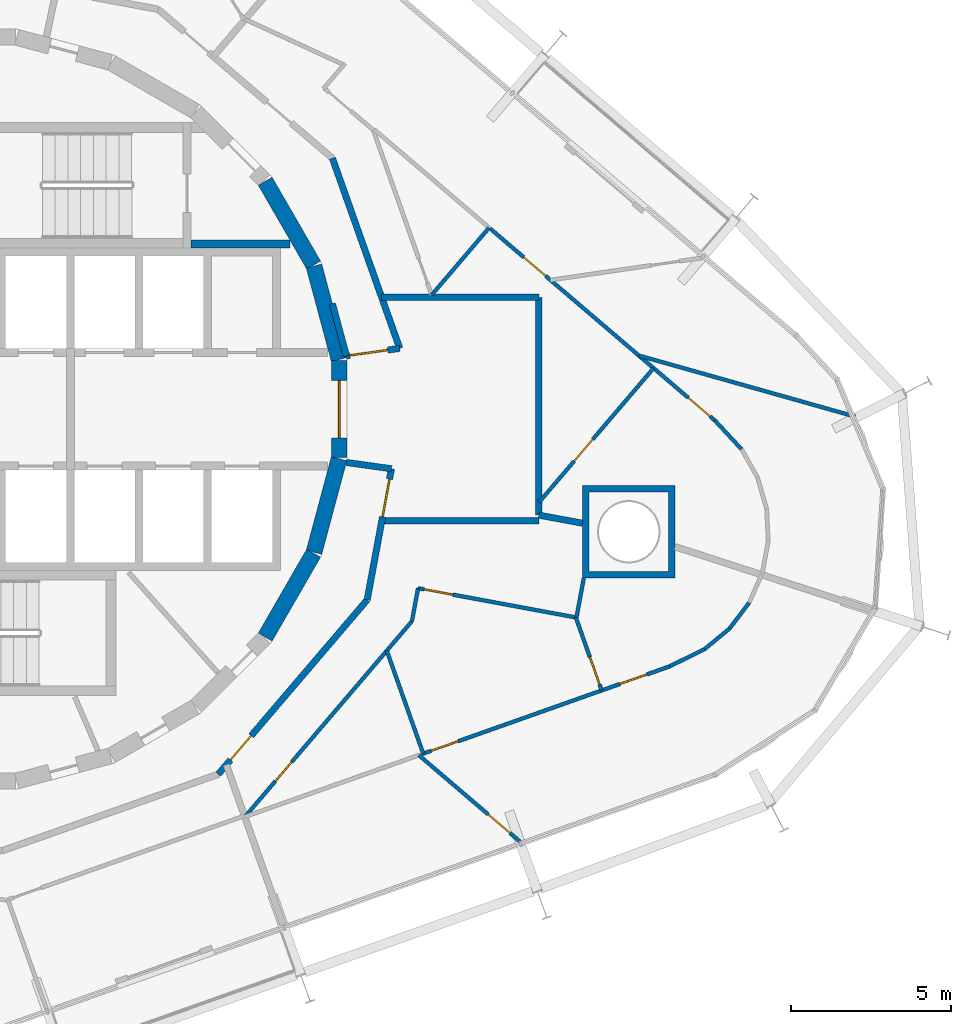
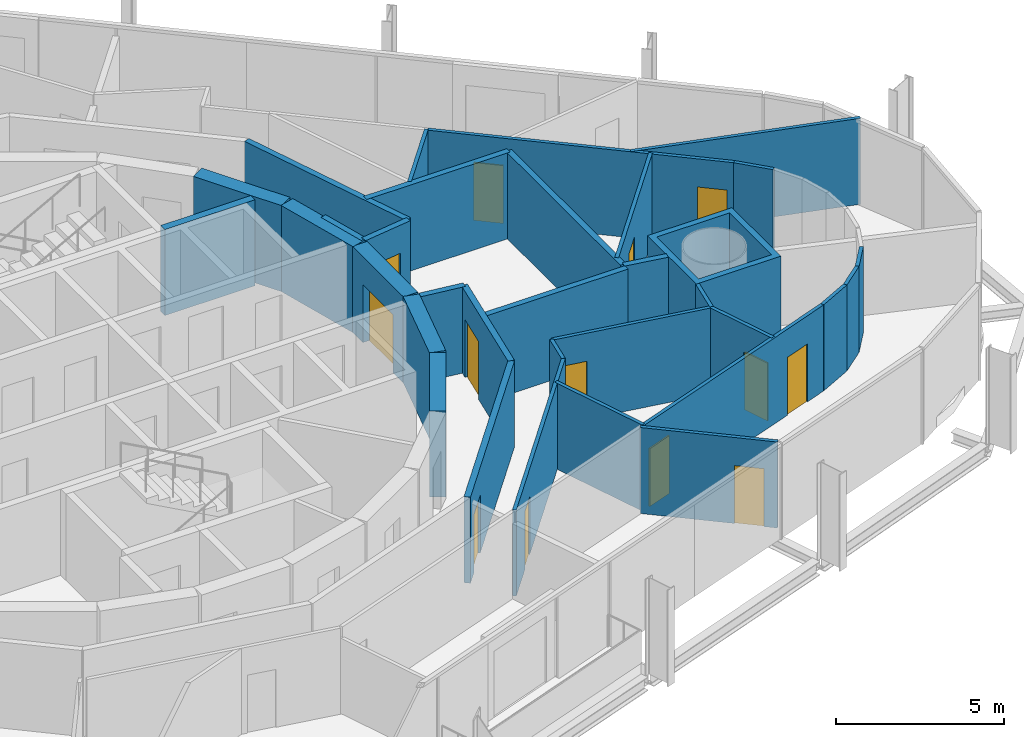
# One storey, part 13 of 17: 33 walls, 13 doors, 13 openings.
"""IFC4 building model written with IfcOpenShell, lengths in metres."""

from ifc_helpers import new_model, si_unit, direction, frame, frame_2d, origin, place, context, subcontext, project, spatial, polyline, rectangle, outline, extrude, material, layer, layer_set, type_object, element, fill, save


model = new_model("IFC4")

# Units and contexts
model_context = context("Model", 3, precision=1e-05, world=origin(), true_north=direction((0.0, 1.0)))
body_context = subcontext(model_context, "Body", "Model", "MODEL_VIEW")
ifc_project = project(units=[si_unit("LENGTHUNIT", "METRE"), si_unit("AREAUNIT", "SQUARE_METRE"), si_unit("VOLUMEUNIT", "CUBIC_METRE"), si_unit("PLANEANGLEUNIT", "RADIAN"), si_unit("MASSUNIT", "GRAM", prefix="KILO")], contexts=[model_context])

# Site, building, storey
site_placement = place(None, origin())
site = spatial("IfcSite", under=ifc_project, at=site_placement, CompositionType="ELEMENT")
building_placement = place(site_placement, origin())
building = spatial("IfcBuilding", under=site, at=building_placement, Name="Spindle Arch Residences", CompositionType="ELEMENT")
storey_placement = place(building_placement, frame((0.0, 0.0, 162.199951171875)))
storey = spatial("IfcBuildingStorey", under=building, at=storey_placement, Name="L40", CompositionType="ELEMENT", Elevation=162.199951171875)

# Walls
ifc_material_1 = material(Name="Concrete C50/60", Category="concrete")
ifc_layer_1 = layer(ifc_material_1, 0.5)
ifc_layer_set_1 = layer_set([ifc_layer_1], Name="Core outline wall 500")
wall_type_1 = type_object("IfcWallType", Name="Core outline wall 500", PredefinedType="SHEAR", material=ifc_layer_set_1)
for number, where, z_axis, x_axis, name in (
    (1, (9.32861328125, -7.13671875, 0.0), (0.0, 0.0, 1.0), (0.500087131594, 0.865975092491, 0.0), "Core outline wall 4"),
    (2, (10.858154296875, -4.479248046875, 0.0), (0.0, 0.0, 1.0), (0.258734743916, 0.965948410781, 0.0), "Core outline wall 5"),
):
    element("IfcWall", number, at=place(storey_placement, frame(where, z_axis=z_axis, x_axis=x_axis)), inside=storey, type_object=wall_type_1, Name=name, PredefinedType="SHEAR", context=body_context, shape_type="SweptSolid", body=[
        extrude(rectangle(XDim=3.03271484375, YDim=0.5, at=frame_2d((1.516357421875, 0.0))), origin(), (0.0, 0.0, 1.0), 3.1201171875),
    ])

# Wall, opening, door
wall_1_placement = place(storey_placement, frame((11.647216796875, -1.516357421875, 0.0), z_axis=(0.0, 0.0, 1.0), x_axis=(0.0, 1.0, 0.0)))
wall_1 = element("IfcWall", 3, at=wall_1_placement, inside=storey, type_object=wall_type_1, Name="Core outline wall 6", PredefinedType="SHEAR", context=body_context, shape_type="SweptSolid", body=[
    extrude(rectangle(XDim=3.03271484375, YDim=0.5, at=frame_2d((1.516357421875, 0.0))), origin(), (0.0, 0.0, 1.0), 3.1201171875),
])
opening_1_placement = place(wall_1_placement, frame((0.6162109375, 0.0, 0.0)))
opening_1 = element("IfcOpeningElement", 4, at=opening_1_placement, cuts=wall_1, Name="Opening R4B1-FE01", PredefinedType="OPENING", context=body_context, shape_type="SweptSolid", body=[
    extrude(rectangle(XDim=1.800048828125, YDim=2.10009765625, at=frame_2d((0.89990234375, 1.050048828125))), frame((0.0, 0.260009765625, 0.0), z_axis=(0.0, -1.0, 0.0), x_axis=(1.0, 0.0, 0.0)), (0.0, 0.0, 1.0), 0.52001953125),
])
ifc_material_2 = material(Name="Steel, fire-resisting door", Category="steel")
door_type_1 = type_object("IfcDoorType", Name="Fire-lift lobby door 1800x2100", OperationType="DOUBLE_DOOR_SINGLE_SWING", PredefinedType="DOOR", material=ifc_material_2)
door_1_placement = place(opening_1_placement, origin())
door_1 = element("IfcDoor", 5, at=door_1_placement, inside=storey, type_object=door_type_1, Name="Fire-lift lobby door R4B1-FE01", OperationType="DOUBLE_DOOR_SINGLE_SWING", OverallHeight=2.10009765625, OverallWidth=1.800048828125, PredefinedType="DOOR", context=body_context, shape_type="SweptSolid", body=[
    extrude(rectangle(XDim=1.800048828125, YDim=2.10009765625, at=frame_2d((0.89990234375, 1.050048828125))), frame((0.0, 0.02490234375, 0.0), z_axis=(0.0, -1.0, 0.0), x_axis=(1.0, 0.0, 0.0)), (0.0, 0.0, 1.0), 0.050048828125),
])
fill(opening_1, door_1)

# Walls
for number, where, z_axis, x_axis, name in (
    (6, (11.642822265625, 1.5498046875, 0.0), (0.0, 0.0, 1.0), (-0.258734743916, 0.965948410781, 0.0), "Core outline wall 7"),
    (7, (10.84521484375, 4.510498046875, 0.0), (0.0, 0.0, 1.0), (-0.500087131594, 0.865975092491, 0.0), "Core outline wall 8"),
):
    element("IfcWall", number, at=place(storey_placement, frame(where, z_axis=z_axis, x_axis=x_axis)), inside=storey, type_object=wall_type_1, Name=name, PredefinedType="SHEAR", context=body_context, shape_type="SweptSolid", body=[
        extrude(rectangle(XDim=3.03271484375, YDim=0.5, at=frame_2d((1.516357421875, 0.0))), origin(), (0.0, 0.0, 1.0), 3.1201171875),
    ])

# Wall, opening, door
ifc_material_3 = material(Name="Calcium silicate block, plastered")
ifc_layer_2 = layer(ifc_material_3, 0.199951171875)
ifc_layer_set_2 = layer_set([ifc_layer_2], Name="Corridor wall 200")
wall_type_2 = type_object("IfcWallType", Name="Corridor wall 200", PredefinedType="STANDARD", material=ifc_layer_set_2)
wall_2_placement = place(storey_placement, frame((7.857666015625, -11.432861328125, 0.0), z_axis=(0.0, 0.0, 1.0), x_axis=(0.649440801937, 0.760412154545, 0.0)))
wall_2 = element("IfcWall", 8, at=wall_2_placement, inside=storey, type_object=wall_type_2, Name="Corridor wall R4B1-W020", PredefinedType="STANDARD", context=body_context, shape_type="SweptSolid", body=[
    extrude(rectangle(XDim=7.180908203125, YDim=0.199951171875, at=frame_2d((3.59033203125, 0.0))), origin(), (0.0, 0.0, 1.0), 3.1201171875),
])
opening_2_placement = place(wall_2_placement, frame((0.592041015625, 0.0, 0.0)))
opening_2 = element("IfcOpeningElement", 9, at=opening_2_placement, cuts=wall_2, Name="Opening R4B1-FD06", PredefinedType="OPENING", context=body_context, shape_type="SweptSolid", body=[
    extrude(rectangle(XDim=1.0, YDim=2.10009765625, at=frame_2d((0.5, 1.050048828125))), frame((0.0, 0.10986328125, 0.0), z_axis=(0.0, -1.0, 0.0), x_axis=(1.0, 0.0, 0.0)), (0.0, 0.0, 1.0), 0.219970703125),
])
ifc_material_4 = material(Name="Timber, fire-resisting door set", Category="wood")
door_type_2 = type_object("IfcDoorType", Name="Flat entrance door 1000x2100", OperationType="NOTDEFINED", PredefinedType="DOOR", material=ifc_material_4)
door_2_placement = place(opening_2_placement, origin())
door_2 = element("IfcDoor", 10, at=door_2_placement, inside=storey, type_object=door_type_2, Name="Flat entrance door R4B1-FD06", OperationType="SINGLE_SWING_RIGHT", OverallHeight=2.10009765625, OverallWidth=1.0, PredefinedType="DOOR", context=body_context, shape_type="SweptSolid", body=[
    extrude(rectangle(XDim=1.0, YDim=2.10009765625, at=frame_2d((0.5, 1.050048828125))), frame((0.0, 0.02490234375, 0.0), z_axis=(0.0, -1.0, 0.0), x_axis=(1.0, 0.0, 0.0)), (0.0, 0.0, 1.0), 0.050048828125),
])
fill(opening_2, door_2)

# Wall
ifc_material_5 = material(Name="Calcium silicate block, plastered")
ifc_layer_3 = layer(ifc_material_5, 0.199951171875)
ifc_layer_set_3 = layer_set([ifc_layer_3], Name="Fire-lift lobby bay wall 200")
wall_type_3 = type_object("IfcWallType", Name="Fire-lift lobby bay wall 200", PredefinedType="STANDARD", material=ifc_layer_set_3)
wall_3_placement = place(storey_placement, frame((11.8701171875, 1.668212890625, 0.0), z_axis=(0.0, 0.0, 1.0), x_axis=(-0.258836880648, 0.965921047093, 0.0)))
element("IfcWall", 11, at=wall_3_placement, inside=storey, type_object=wall_type_3, Name="Fire-lift lobby bay wall R4B1-W001", PredefinedType="STANDARD", context=body_context, shape_type="SweptSolid", body=[
    extrude(rectangle(XDim=1.695068359375, YDim=0.199951171875, at=frame_2d((0.84765625, 0.0))), origin(), (0.0, 0.0, 1.0), 3.1201171875),
])

# Wall, opening, door
wall_4_placement = place(storey_placement, frame((11.8701171875, 1.668212890625, 0.0), z_axis=(0.0, 0.0, 1.0), x_axis=(0.990270910415, 0.139152879904, 0.0)))
wall_4 = element("IfcWall", 12, at=wall_4_placement, inside=storey, type_object=wall_type_3, Name="Fire-lift lobby bay wall R4B1-W002", PredefinedType="STANDARD", context=body_context, shape_type="SweptSolid", body=[
    extrude(rectangle(XDim=1.687744140625, YDim=0.199951171875, at=frame_2d((0.84375, 0.0))), origin(), (0.0, 0.0, 1.0), 3.1201171875),
])
opening_3_placement = place(wall_4_placement, frame((0.110107421875, 0.0, 0.0)))
opening_3 = element("IfcOpeningElement", 13, at=opening_3_placement, cuts=wall_4, Name="Opening R4B1-CD01", PredefinedType="OPENING", context=body_context, shape_type="SweptSolid", body=[
    extrude(rectangle(XDim=1.199951171875, YDim=2.10009765625, at=frame_2d((0.60009765625, 1.050048828125))), frame((0.0, 0.10986328125, 0.0), z_axis=(0.0, -1.0, 0.0), x_axis=(1.0, 0.0, 0.0)), (0.0, 0.0, 1.0), 0.219970703125),
])
ifc_material_6 = material(Name="Steel, fire-resisting door", Category="steel")
door_type_3 = type_object("IfcDoorType", Name="Corridor division door 1200x2100", OperationType="NOTDEFINED", PredefinedType="DOOR", material=ifc_material_6)
door_3_placement = place(opening_3_placement, origin())
door_3 = element("IfcDoor", 14, at=door_3_placement, inside=storey, type_object=door_type_3, Name="Corridor division door R4B1-CD01", OperationType="DOUBLE_DOOR_SINGLE_SWING", OverallHeight=2.10009765625, OverallWidth=1.199951171875, PredefinedType="DOOR", context=body_context, shape_type="SweptSolid", body=[
    extrude(rectangle(XDim=1.199951171875, YDim=2.10009765625, at=frame_2d((0.60009765625, 1.050048828125))), frame((0.0, 0.02490234375, 0.0), z_axis=(0.0, -1.0, 0.0), x_axis=(1.0, 0.0, 0.0)), (0.0, 0.0, 1.0), 0.050048828125),
])
fill(opening_3, door_3)

# Wall
wall_5_placement = place(storey_placement, frame((13.54150390625, 1.903076171875, 0.0), z_axis=(0.0, 0.0, 1.0), x_axis=(-0.333808508206, 0.942640907159, 0.0)))
element("IfcWall", 15, at=wall_5_placement, inside=storey, type_object=wall_type_3, Name="Fire-lift lobby bay wall R4B1-W003", PredefinedType="STANDARD", context=body_context, shape_type="SweptSolid", body=[
    extrude(rectangle(XDim=6.31689453125, YDim=0.199951171875, at=frame_2d((3.158447265625, 0.0))), origin(), (0.0, 0.0, 1.0), 3.1201171875),
])

# Wall, opening, door
wall_6_placement = place(storey_placement, frame((12.521240234375, -5.972412109375, 0.0), z_axis=(0.0, 0.0, 1.0), x_axis=(0.182244189886, 0.983253301674, 0.0)))
wall_6 = element("IfcWall", 16, at=wall_6_placement, inside=storey, type_object=wall_type_3, Name="Fire-lift lobby bay wall R4B1-W012", PredefinedType="STANDARD", context=body_context, shape_type="SweptSolid", body=[
    extrude(rectangle(XDim=4.175537109375, YDim=0.199951171875, at=frame_2d((2.087890625, 0.0))), origin(), (0.0, 0.0, 1.0), 3.1201171875),
])
opening_4_placement = place(wall_6_placement, frame((2.64453125, 0.0, 0.0)))
opening_4 = element("IfcOpeningElement", 17, at=opening_4_placement, cuts=wall_6, Name="Opening R4B1-CD02", PredefinedType="OPENING", context=body_context, shape_type="SweptSolid", body=[
    extrude(rectangle(XDim=1.199951171875, YDim=2.10009765625, at=frame_2d((0.60009765625, 1.050048828125))), frame((0.0, 0.10986328125, 0.0), z_axis=(0.0, -1.0, 0.0), x_axis=(1.0, 0.0, 0.0)), (0.0, 0.0, 1.0), 0.219970703125),
])
door_4_placement = place(opening_4_placement, origin())
door_4 = element("IfcDoor", 18, at=door_4_placement, inside=storey, type_object=door_type_3, Name="Corridor division door R4B1-CD02", OperationType="DOUBLE_DOOR_SINGLE_SWING", OverallHeight=2.10009765625, OverallWidth=1.199951171875, PredefinedType="DOOR", context=body_context, shape_type="SweptSolid", body=[
    extrude(rectangle(XDim=1.199951171875, YDim=2.10009765625, at=frame_2d((0.60009765625, 1.050048828125))), frame((0.0, 0.02490234375, 0.0), z_axis=(0.0, -1.0, 0.0), x_axis=(1.0, 0.0, 0.0)), (0.0, 0.0, 1.0), 0.050048828125),
])
fill(opening_4, door_4)

# Walls
wall_7_placement = place(storey_placement, frame((13.2822265625, -1.86669921875, 0.0), z_axis=(0.0, 0.0, 1.0), x_axis=(-0.990265430288, 0.139191873241, 0.0)))
element("IfcWall", 19, at=wall_7_placement, inside=storey, type_object=wall_type_3, Name="Fire-lift lobby bay wall R4B1-W013", PredefinedType="STANDARD", context=body_context, shape_type="SweptSolid", body=[
    extrude(rectangle(XDim=1.426025390625, YDim=0.199951171875, at=frame_2d((0.712890625, 0.0))), origin(), (0.0, 0.0, 1.0), 3.1201171875),
])
wall_8_placement = place(storey_placement, frame((17.89990234375, 3.5, 0.0), z_axis=(0.0, 0.0, 1.0), x_axis=(-1.0, 0.0, 0.0)))
element("IfcWall", 20, at=wall_8_placement, inside=storey, type_object=wall_type_3, Name="Fire-lift lobby bay wall R4B1-W025", PredefinedType="STANDARD", context=body_context, shape_type="SweptSolid", body=[
    extrude(rectangle(XDim=4.923828125, YDim=0.199951171875, at=frame_2d((2.4619140625, 0.0))), origin(), (0.0, 0.0, 1.0), 3.1201171875),
])
wall_9_placement = place(storey_placement, frame((17.89990234375, -3.317626953125, 0.0), z_axis=(0.0, 0.0, 1.0), x_axis=(0.0, 1.0, 0.0)))
element("IfcWall", 21, at=wall_9_placement, inside=storey, type_object=wall_type_3, Name="Fire-lift lobby bay wall R4B1-W026", PredefinedType="STANDARD", context=body_context, shape_type="SweptSolid", body=[
    extrude(rectangle(XDim=6.817626953125, YDim=0.199951171875, at=frame_2d((3.40869140625, 0.0))), origin(), (0.0, 0.0, 1.0), 3.1201171875),
])
wall_10_placement = place(storey_placement, frame((12.9794921875, -3.5, 0.0), z_axis=(0.0, 0.0, 1.0), x_axis=(1.0, 0.0, 0.0)))
element("IfcWall", 22, at=wall_10_placement, inside=storey, type_object=wall_type_3, Name="Fire-lift lobby bay wall R4B1-W027", PredefinedType="STANDARD", context=body_context, shape_type="SweptSolid", body=[
    extrude(rectangle(XDim=4.92041015625, YDim=0.199951171875, at=frame_2d((2.460205078125, 0.0))), origin(), (0.0, 0.0, 1.0), 3.1201171875),
])

# Wall, openings, doors
ifc_material_7 = material(Name="Plasterboard on steel studs", Category="steel")
ifc_layer_4 = layer(ifc_material_7, 0.1201171875)
ifc_layer_set_4 = layer_set([ifc_layer_4], Name="Flat partition 120")
wall_type_4 = type_object("IfcWallType", Name="Flat partition 120", PredefinedType="PARTITIONING", material=ifc_layer_set_4)
wall_11_placement = place(storey_placement, frame((23.411376953125, -0.35693359375, 0.0), z_axis=(0.0, 0.0, 1.0), x_axis=(-0.76041871148, 0.649433124525, 0.0)))
wall_11 = element("IfcWall", 23, at=wall_11_placement, inside=storey, type_object=wall_type_4, Name="Flat partition R4B1-W043", PredefinedType="PARTITIONING", context=body_context, shape_type="SweptSolid", body=[
    extrude(rectangle(XDim=9.2587890625, YDim=0.1201171875, at=frame_2d((4.62939453125, 0.0))), origin(), (0.0, 0.0, 1.0), 3.1201171875),
])
opening_5_placement = place(wall_11_placement, frame((6.971923828125, 0.0, 0.0)))
opening_5 = element("IfcOpeningElement", 24, at=opening_5_placement, cuts=wall_11, Name="Opening R4B1-ID02", PredefinedType="OPENING", context=body_context, shape_type="SweptSolid", body=[
    extrude(rectangle(XDim=0.89990234375, YDim=2.10009765625, at=frame_2d((0.449951171875, 1.050048828125))), frame((0.0, 0.070068359375, 0.0), z_axis=(0.0, -1.0, 0.0), x_axis=(1.0, 0.0, 0.0)), (0.0, 0.0, 1.0), 0.14013671875),
])
opening_6_placement = place(wall_11_placement, frame((0.199951171875, 0.0, 0.0)))
opening_6 = element("IfcOpeningElement", 25, at=opening_6_placement, cuts=wall_11, Name="Opening R4B1-ID05", PredefinedType="OPENING", context=body_context, shape_type="SweptSolid", body=[
    extrude(rectangle(XDim=0.89990234375, YDim=2.10009765625, at=frame_2d((0.449951171875, 1.050048828125))), frame((0.0, 0.070068359375, 0.0), z_axis=(0.0, -1.0, 0.0), x_axis=(1.0, 0.0, 0.0)), (0.0, 0.0, 1.0), 0.14013671875),
])
ifc_material_8 = material(Name="Timber door set", Category="wood")
door_type_4 = type_object("IfcDoorType", Name="Room door 900x2100", OperationType="NOTDEFINED", PredefinedType="DOOR", material=ifc_material_8)
door_5_placement = place(opening_5_placement, origin())
door_5 = element("IfcDoor", 26, at=door_5_placement, inside=storey, type_object=door_type_4, Name="Room door R4B1-ID02", OperationType="SINGLE_SWING_RIGHT", OverallHeight=2.10009765625, OverallWidth=0.89990234375, PredefinedType="DOOR", context=body_context, shape_type="SweptSolid", body=[
    extrude(rectangle(XDim=0.89990234375, YDim=2.10009765625, at=frame_2d((0.449951171875, 1.050048828125))), frame((0.0, 0.02490234375, 0.0), z_axis=(0.0, -1.0, 0.0), x_axis=(1.0, 0.0, 0.0)), (0.0, 0.0, 1.0), 0.050048828125),
])
fill(opening_5, door_5)
door_6_placement = place(opening_6_placement, origin())
door_6 = element("IfcDoor", 27, at=door_6_placement, inside=storey, type_object=door_type_4, Name="Room door R4B1-ID05", OperationType="SINGLE_SWING_LEFT", OverallHeight=2.10009765625, OverallWidth=0.89990234375, PredefinedType="DOOR", context=body_context, shape_type="SweptSolid", body=[
    extrude(rectangle(XDim=0.89990234375, YDim=2.10009765625, at=frame_2d((0.449951171875, 1.050048828125))), frame((0.0, 0.02490234375, 0.0), z_axis=(0.0, -1.0, 0.0), x_axis=(1.0, 0.0, 0.0)), (0.0, 0.0, 1.0), 0.050048828125),
])
fill(opening_6, door_6)

# Wall
wall_12_placement = place(storey_placement, frame((16.340576171875, 5.681884765625, 0.0), z_axis=(0.0, 0.0, 1.0), x_axis=(-0.64946993237, -0.76038727432, 0.0)))
element("IfcWall", 28, at=wall_12_placement, inside=storey, type_object=wall_type_4, Name="Flat partition R4B1-W044", PredefinedType="PARTITIONING", context=body_context, shape_type="SweptSolid", body=[
    extrude(rectangle(XDim=2.771240234375, YDim=0.1201171875, at=frame_2d((1.3857421875, 0.0))), origin(), (0.0, 0.0, 1.0), 3.1201171875),
])

# Wall, opening, door
wall_13_placement = place(storey_placement, frame((17.89990234375, -2.91845703125, 0.0), z_axis=(0.0, 0.0, 1.0), x_axis=(0.649469887983, 0.760387312232, 0.0)))
wall_13 = element("IfcWall", 29, at=wall_13_placement, inside=storey, type_object=wall_type_4, Name="Flat partition R4B1-W045", PredefinedType="PARTITIONING", context=body_context, shape_type="SweptSolid", body=[
    extrude(rectangle(XDim=5.52685546875, YDim=0.1201171875, at=frame_2d((2.763427734375, 0.0))), origin(), (0.0, 0.0, 1.0), 3.1201171875),
])
opening_7_placement = place(wall_13_placement, frame((1.699951171875, 0.0, 0.0)))
opening_7 = element("IfcOpeningElement", 30, at=opening_7_placement, cuts=wall_13, Name="Opening R4B1-ID04", PredefinedType="OPENING", context=body_context, shape_type="SweptSolid", body=[
    extrude(rectangle(XDim=0.89990234375, YDim=2.10009765625, at=frame_2d((0.449951171875, 1.050048828125))), frame((0.0, 0.070068359375, 0.0), z_axis=(0.0, -1.0, 0.0), x_axis=(1.0, 0.0, 0.0)), (0.0, 0.0, 1.0), 0.14013671875),
])
door_7_placement = place(opening_7_placement, origin())
door_7 = element("IfcDoor", 31, at=door_7_placement, inside=storey, type_object=door_type_4, Name="Room door R4B1-ID04", OperationType="SINGLE_SWING_LEFT", OverallHeight=2.10009765625, OverallWidth=0.89990234375, PredefinedType="DOOR", context=body_context, shape_type="SweptSolid", body=[
    extrude(rectangle(XDim=0.89990234375, YDim=2.10009765625, at=frame_2d((0.449951171875, 1.050048828125))), frame((0.0, 0.02490234375, 0.0), z_axis=(0.0, -1.0, 0.0), x_axis=(1.0, 0.0, 0.0)), (0.0, 0.0, 1.0), 0.050048828125),
])
fill(opening_7, door_7)

# Walls
wall_14_placement = place(storey_placement, frame((21.029052734375, 1.677490234375, 0.0), z_axis=(0.0, 0.0, 1.0), x_axis=(0.962458274539, -0.271429677396, 0.0)))
element("IfcWall", 32, at=wall_14_placement, inside=storey, type_object=wall_type_4, Name="Flat partition R4B1-W047", PredefinedType="PARTITIONING", context=body_context, shape_type="SweptSolid", body=[
    extrude(rectangle(XDim=7.037353515625, YDim=0.1201171875, at=frame_2d((3.5185546875, 0.0))), origin(), (0.0, 0.0, 1.0), 3.1201171875),
])
wall_15_placement = place(storey_placement, frame((24.24560546875, -1.2568359375, 0.0), z_axis=(0.0, 0.0, 1.0), x_axis=(-0.679840361176, 0.733360132074, 0.0)))
element("IfcWall", 33, at=wall_15_placement, inside=storey, type_object=wall_type_4, Name="Flat partition R4B1-W052", PredefinedType="PARTITIONING", context=body_context, shape_type="SweptSolid", body=[
    extrude(rectangle(XDim=1.22705078125, YDim=0.1201171875, at=frame_2d((0.613525390625, 0.0))), origin(), (0.0, 0.0, 1.0), 3.1201171875),
])

# Wall, opening, door
wall_16_placement = place(storey_placement, frame((8.7373046875, -12.712646484375, 0.0), z_axis=(0.0, 0.0, 1.0), x_axis=(0.649430604754, 0.760420863476, 0.0)))
wall_16 = element("IfcWall", 34, at=wall_16_placement, inside=storey, type_object=wall_type_4, Name="Flat partition R4B1-W112", PredefinedType="PARTITIONING", context=body_context, shape_type="SweptSolid", body=[
    extrude(rectangle(XDim=7.98486328125, YDim=0.1201171875, at=frame_2d((3.992431640625, 0.0))), origin(), (0.0, 0.0, 1.0), 3.1201171875),
])
opening_8_placement = place(wall_16_placement, frame((1.39990234375, 0.0, 0.0)))
opening_8 = element("IfcOpeningElement", 35, at=opening_8_placement, cuts=wall_16, Name="Opening R4B1-BD06", PredefinedType="OPENING", context=body_context, shape_type="SweptSolid", body=[
    extrude(rectangle(XDim=0.800048828125, YDim=2.10009765625, at=frame_2d((0.39990234375, 1.050048828125))), frame((0.0, 0.070068359375, 0.0), z_axis=(0.0, -1.0, 0.0), x_axis=(1.0, 0.0, 0.0)), (0.0, 0.0, 1.0), 0.14013671875),
])
ifc_material_9 = material(Name="Timber door set", Category="wood")
door_type_5 = type_object("IfcDoorType", Name="Bathroom door 800x2100", OperationType="NOTDEFINED", PredefinedType="DOOR", material=ifc_material_9)
door_8_placement = place(opening_8_placement, origin())
door_8 = element("IfcDoor", 36, at=door_8_placement, inside=storey, type_object=door_type_5, Name="Bathroom door R4B1-BD06", OperationType="SINGLE_SWING_RIGHT", OverallHeight=2.10009765625, OverallWidth=0.800048828125, PredefinedType="DOOR", context=body_context, shape_type="SweptSolid", body=[
    extrude(rectangle(XDim=0.800048828125, YDim=2.10009765625, at=frame_2d((0.39990234375, 1.050048828125))), frame((0.0, 0.02490234375, 0.0), z_axis=(0.0, -1.0, 0.0), x_axis=(1.0, 0.0, 0.0)), (0.0, 0.0, 1.0), 0.050048828125),
])
fill(opening_8, door_8)

# Wall
wall_17_placement = place(storey_placement, frame((13.9228515625, -6.640869140625, 0.0), z_axis=(0.0, 0.0, 1.0), x_axis=(0.182396711264, 0.983225019881, 0.0)))
element("IfcWall", 37, at=wall_17_placement, inside=storey, type_object=wall_type_4, Name="Flat partition R4B1-W113", PredefinedType="PARTITIONING", context=body_context, shape_type="SweptSolid", body=[
    extrude(rectangle(XDim=1.052001953125, YDim=0.1201171875, at=frame_2d((0.52587890625, 0.0))), origin(), (0.0, 0.0, 1.0), 3.1201171875),
])

# Wall, opening, door
wall_18_placement = place(storey_placement, frame((14.11474609375, -5.6064453125, 0.0), z_axis=(0.0, 0.0, 1.0), x_axis=(0.983252350103, -0.182249323775, 0.0)))
wall_18 = element("IfcWall", 38, at=wall_18_placement, inside=storey, type_object=wall_type_4, Name="Flat partition R4B1-W114", PredefinedType="PARTITIONING", context=body_context, shape_type="SweptSolid", body=[
    extrude(rectangle(XDim=5.02490234375, YDim=0.1201171875, at=frame_2d((2.512451171875, 0.0))), origin(), (0.0, 0.0, 1.0), 3.1201171875),
])
opening_9_placement = place(wall_18_placement, frame((0.199951171875, 0.0, 0.0)))
opening_9 = element("IfcOpeningElement", 39, at=opening_9_placement, cuts=wall_18, Name="Opening R4B1-ID26", PredefinedType="OPENING", context=body_context, shape_type="SweptSolid", body=[
    extrude(rectangle(XDim=0.89990234375, YDim=2.10009765625, at=frame_2d((0.449951171875, 1.050048828125))), frame((0.0, 0.070068359375, 0.0), z_axis=(0.0, -1.0, 0.0), x_axis=(1.0, 0.0, 0.0)), (0.0, 0.0, 1.0), 0.14013671875),
])
door_9_placement = place(opening_9_placement, origin())
door_9 = element("IfcDoor", 40, at=door_9_placement, inside=storey, type_object=door_type_4, Name="Room door R4B1-ID26", OperationType="SINGLE_SWING_RIGHT", OverallHeight=2.10009765625, OverallWidth=0.89990234375, PredefinedType="DOOR", context=body_context, shape_type="SweptSolid", body=[
    extrude(rectangle(XDim=0.89990234375, YDim=2.10009765625, at=frame_2d((0.449951171875, 1.050048828125))), frame((0.0, 0.02490234375, 0.0), z_axis=(0.0, -1.0, 0.0), x_axis=(1.0, 0.0, 0.0)), (0.0, 0.0, 1.0), 0.050048828125),
])
fill(opening_9, door_9)

# Wall
wall_19_placement = place(storey_placement, frame((19.074951171875, -6.525634765625, 0.0), z_axis=(0.0, 0.0, 1.0), x_axis=(0.182283897093, 0.983245941187, 0.0)))
element("IfcWall", 41, at=wall_19_placement, inside=storey, type_object=wall_type_4, Name="Flat partition R4B1-W115", PredefinedType="PARTITIONING", context=body_context, shape_type="SweptSolid", body=[
    extrude(rectangle(XDim=1.257568359375, YDim=0.1201171875, at=frame_2d((0.62890625, 0.0))), origin(), (0.0, 0.0, 1.0), 3.1201171875),
])

# Wall, opening, door
wall_20_placement = place(storey_placement, frame((17.30029296875, -13.5341796875, 0.0), z_axis=(0.0, 0.0, 1.0), x_axis=(-0.760428665789, 0.649421468883, 0.0)))
wall_20 = element("IfcWall", 42, at=wall_20_placement, inside=storey, type_object=wall_type_4, Name="Flat partition R4B1-W117", PredefinedType="PARTITIONING", context=body_context, shape_type="SweptSolid", body=[
    extrude(rectangle(XDim=4.15673828125, YDim=0.1201171875, at=frame_2d((2.078369140625, 0.0))), origin(), (0.0, 0.0, 1.0), 3.1201171875),
])
opening_10_placement = place(wall_20_placement, frame((0.39990234375, 0.0, 0.0)))
opening_10 = element("IfcOpeningElement", 43, at=opening_10_placement, cuts=wall_20, Name="Opening R4B1-ID29", PredefinedType="OPENING", context=body_context, shape_type="SweptSolid", body=[
    extrude(rectangle(XDim=0.89990234375, YDim=2.10009765625, at=frame_2d((0.449951171875, 1.050048828125))), frame((0.0, 0.070068359375, 0.0), z_axis=(0.0, -1.0, 0.0), x_axis=(1.0, 0.0, 0.0)), (0.0, 0.0, 1.0), 0.14013671875),
])
door_10_placement = place(opening_10_placement, origin())
door_10 = element("IfcDoor", 44, at=door_10_placement, inside=storey, type_object=door_type_4, Name="Room door R4B1-ID29", OperationType="SINGLE_SWING_LEFT", OverallHeight=2.10009765625, OverallWidth=0.89990234375, PredefinedType="DOOR", context=body_context, shape_type="SweptSolid", body=[
    extrude(rectangle(XDim=0.89990234375, YDim=2.10009765625, at=frame_2d((0.449951171875, 1.050048828125))), frame((0.0, 0.02490234375, 0.0), z_axis=(0.0, -1.0, 0.0), x_axis=(1.0, 0.0, 0.0)), (0.0, 0.0, 1.0), 0.050048828125),
])
fill(opening_10, door_10)

# Wall
wall_21_placement = place(storey_placement, frame((14.277099609375, -10.785888671875, 0.0), z_axis=(0.0, 0.0, 1.0), x_axis=(-0.333865646111, 0.942620671504, 0.0)))
element("IfcWall", 45, at=wall_21_placement, inside=storey, type_object=wall_type_4, Name="Flat partition R4B1-W118", PredefinedType="PARTITIONING", context=body_context, shape_type="SweptSolid", body=[
    extrude(rectangle(XDim=3.41943359375, YDim=0.1201171875, at=frame_2d((1.709716796875, 0.0))), origin(), (0.0, 0.0, 1.0), 3.1201171875),
])

# Wall, openings, doors
wall_22_placement = place(storey_placement, frame((14.2392578125, -10.79931640625, 0.0), z_axis=(0.0, 0.0, 1.0), x_axis=(0.94264202959, 0.333805338558, 0.0)))
wall_22 = element("IfcWall", 46, at=wall_22_placement, inside=storey, type_object=wall_type_4, Name="Flat partition R4B1-W119", PredefinedType="PARTITIONING", context=body_context, shape_type="SweptSolid", body=[
    extrude(rectangle(XDim=8.21630859375, YDim=0.1201171875, at=frame_2d((4.108154296875, 0.0))), origin(), (0.0, 0.0, 1.0), 3.1201171875),
])
opening_11_placement = place(wall_22_placement, frame((0.300048828125, 0.0, 0.0)))
opening_11 = element("IfcOpeningElement", 47, at=opening_11_placement, cuts=wall_22, Name="Opening R4B1-ID27", PredefinedType="OPENING", context=body_context, shape_type="SweptSolid", body=[
    extrude(rectangle(XDim=0.89990234375, YDim=2.10009765625, at=frame_2d((0.449951171875, 1.050048828125))), frame((0.0, 0.070068359375, 0.0), z_axis=(0.0, -1.0, 0.0), x_axis=(1.0, 0.0, 0.0)), (0.0, 0.0, 1.0), 0.14013671875),
])
opening_12_placement = place(wall_22_placement, frame((6.567626953125, 0.0, 0.0)))
opening_12 = element("IfcOpeningElement", 48, at=opening_12_placement, cuts=wall_22, Name="Opening R4B1-ID30", PredefinedType="OPENING", context=body_context, shape_type="SweptSolid", body=[
    extrude(rectangle(XDim=0.89990234375, YDim=2.10009765625, at=frame_2d((0.449951171875, 1.050048828125))), frame((0.0, 0.070068359375, 0.0), z_axis=(0.0, -1.0, 0.0), x_axis=(1.0, 0.0, 0.0)), (0.0, 0.0, 1.0), 0.14013671875),
])
door_11_placement = place(opening_11_placement, origin())
door_11 = element("IfcDoor", 49, at=door_11_placement, inside=storey, type_object=door_type_4, Name="Room door R4B1-ID27", OperationType="SINGLE_SWING_RIGHT", OverallHeight=2.10009765625, OverallWidth=0.89990234375, PredefinedType="DOOR", context=body_context, shape_type="SweptSolid", body=[
    extrude(rectangle(XDim=0.89990234375, YDim=2.10009765625, at=frame_2d((0.449951171875, 1.050048828125))), frame((0.0, 0.02490234375, 0.0), z_axis=(0.0, -1.0, 0.0), x_axis=(1.0, 0.0, 0.0)), (0.0, 0.0, 1.0), 0.050048828125),
])
fill(opening_11, door_11)
door_12_placement = place(opening_12_placement, origin())
door_12 = element("IfcDoor", 50, at=door_12_placement, inside=storey, type_object=door_type_4, Name="Room door R4B1-ID30", OperationType="SINGLE_SWING_LEFT", OverallHeight=2.10009765625, OverallWidth=0.89990234375, PredefinedType="DOOR", context=body_context, shape_type="SweptSolid", body=[
    extrude(rectangle(XDim=0.89990234375, YDim=2.10009765625, at=frame_2d((0.449951171875, 1.050048828125))), frame((0.0, 0.02490234375, 0.0), z_axis=(0.0, -1.0, 0.0), x_axis=(1.0, 0.0, 0.0)), (0.0, 0.0, 1.0), 0.050048828125),
])
fill(opening_12, door_12)

# Wall, opening, door
wall_23_placement = place(storey_placement, frame((19.864501953125, -8.80712890625, 0.0), z_axis=(0.0, 0.0, 1.0), x_axis=(-0.33378934261, 0.942647693871, 0.0)))
wall_23 = element("IfcWall", 51, at=wall_23_placement, inside=storey, type_object=wall_type_4, Name="Flat partition R4B1-W120", PredefinedType="PARTITIONING", context=body_context, shape_type="SweptSolid", body=[
    extrude(rectangle(XDim=2.423828125, YDim=0.1201171875, at=frame_2d((1.2119140625, 0.0))), origin(), (0.0, 0.0, 1.0), 3.1201171875),
])
opening_13_placement = place(wall_23_placement, frame((0.199951171875, 0.0, 0.0)))
opening_13 = element("IfcOpeningElement", 52, at=opening_13_placement, cuts=wall_23, Name="Opening R4B1-ID28", PredefinedType="OPENING", context=body_context, shape_type="SweptSolid", body=[
    extrude(rectangle(XDim=0.89990234375, YDim=2.10009765625, at=frame_2d((0.449951171875, 1.050048828125))), frame((0.0, 0.070068359375, 0.0), z_axis=(0.0, -1.0, 0.0), x_axis=(1.0, 0.0, 0.0)), (0.0, 0.0, 1.0), 0.14013671875),
])
door_13_placement = place(opening_13_placement, origin())
door_13 = element("IfcDoor", 53, at=door_13_placement, inside=storey, type_object=door_type_4, Name="Room door R4B1-ID28", OperationType="SINGLE_SWING_RIGHT", OverallHeight=2.10009765625, OverallWidth=0.89990234375, PredefinedType="DOOR", context=body_context, shape_type="SweptSolid", body=[
    extrude(rectangle(XDim=0.89990234375, YDim=2.10009765625, at=frame_2d((0.449951171875, 1.050048828125))), frame((0.0, 0.02490234375, 0.0), z_axis=(0.0, -1.0, 0.0), x_axis=(1.0, 0.0, 0.0)), (0.0, 0.0, 1.0), 0.050048828125),
])
fill(opening_13, door_13)

# Walls
for number, where, z_axis, x_axis, name in (
    (54, (24.483154296875, -6.059814453125, 0.0), (0.0, 0.0, 1.0), (-0.60414450914, -0.796874778165, 0.0), "Flat partition R4B1-W122"),
    (55, (23.869384765625, -6.869384765625, 0.0), (0.0, 0.0, 1.0), (-0.771735944334, -0.635943104549, 0.0), "Flat partition R4B1-W123"),
):
    element("IfcWall", number, at=place(storey_placement, frame(where, z_axis=z_axis, x_axis=x_axis)), inside=storey, type_object=wall_type_4, Name=name, PredefinedType="PARTITIONING", context=body_context, shape_type="SweptSolid", body=[
        extrude(rectangle(XDim=1.015869140625, YDim=0.1201171875, at=frame_2d((0.5078125, 0.0))), origin(), (0.0, 0.0, 1.0), 3.1201171875),
    ])
wall_24_placement = place(storey_placement, frame((23.08544921875, -7.515380859375, 0.0), z_axis=(0.0, 0.0, 1.0), x_axis=(-0.897431337015, -0.441154162786, 0.0)))
element("IfcWall", 56, at=wall_24_placement, inside=storey, type_object=wall_type_4, Name="Flat partition R4B1-W124", PredefinedType="PARTITIONING", context=body_context, shape_type="SweptSolid", body=[
    extrude(rectangle(XDim=1.226806640625, YDim=0.1201171875, at=frame_2d((0.61328125, 0.0))), origin(), (0.0, 0.0, 1.0), 3.1201171875),
])
ifc_material_10 = material(Name="Calcium silicate block, plastered")
ifc_layer_5 = layer(ifc_material_10, 0.199951171875)
ifc_layer_set_5 = layer_set([ifc_layer_5], Name="Flat party wall 200")
wall_type_5 = type_object("IfcWallType", Name="Flat party wall 200", PredefinedType="STANDARD", material=ifc_layer_set_5)
wall_25_placement = place(storey_placement, frame((17.89990234375, -3.318603515625, 0.0), z_axis=(0.0, 0.0, 1.0), x_axis=(0.983246950753, -0.182278451375, 0.0)))
element("IfcWall", 57, at=wall_25_placement, inside=storey, type_object=wall_type_5, Name="Flat party wall R4B1-W029", PredefinedType="STANDARD", context=body_context, shape_type="SweptSolid", body=[
    extrude(rectangle(XDim=1.38623046875, YDim=0.199951171875, at=frame_2d((0.693115234375, 0.0))), origin(), (0.0, 0.0, 1.0), 3.1201171875),
])
ifc_material_11 = material(Name="Calcium silicate block, plastered")
ifc_layer_6 = layer(ifc_material_11, 0.199951171875)
ifc_layer_set_6 = layer_set([ifc_layer_6], Name="Mega-column casing wall 200")
wall_type_6 = type_object("IfcWallType", Name="Mega-column casing wall 200", PredefinedType="STANDARD", material=ifc_layer_set_6)
wall_26_placement = place(storey_placement, origin())
element("IfcWall", 58, at=wall_26_placement, inside=storey, type_object=wall_type_6, Name="Mega-column casing wall R4B1-WC03", PredefinedType="STANDARD", context=body_context, shape_type="SweptSolid", body=[
    extrude(outline(polyline([(22.1630859375, -2.388916015625), (22.1630859375, -5.2890625), (19.26318359375, -5.2890625), (19.26318359375, -2.388916015625), (22.1630859375, -2.388916015625)]), holes=[polyline([(19.463134765625, -5.089111328125), (21.963134765625, -5.089111328125), (21.963134765625, -2.589111328125), (19.463134765625, -2.589111328125), (19.463134765625, -5.089111328125)])]), origin(), (0.0, 0.0, 1.0), 3.1201171875),
])
ifc_material_12 = material(Name="Concrete C40/50", Category="concrete")
ifc_layer_7 = layer(ifc_material_12, 0.25)
ifc_layer_set_7 = layer_set([ifc_layer_7], Name="Stair airlock wall 250")
wall_type_7 = type_object("IfcWallType", Name="Stair airlock wall 250", PredefinedType="SHEAR", material=ifc_layer_set_7)
wall_27_placement = place(storey_placement, frame((7.0, 5.175048828125, 0.0), z_axis=(0.0, 0.0, 1.0), x_axis=(1.0, 0.0, 0.0)))
element("IfcWall", 59, at=wall_27_placement, inside=storey, type_object=wall_type_7, Name="Stair ST-1 airlock wall S", PredefinedType="SHEAR", context=body_context, shape_type="SweptSolid", body=[
    extrude(rectangle(XDim=3.10009765625, YDim=0.25, at=frame_2d((1.550048828125, 0.0))), origin(), (0.0, 0.0, 1.0), 3.1201171875),
])

save(model, "model.ifc")
